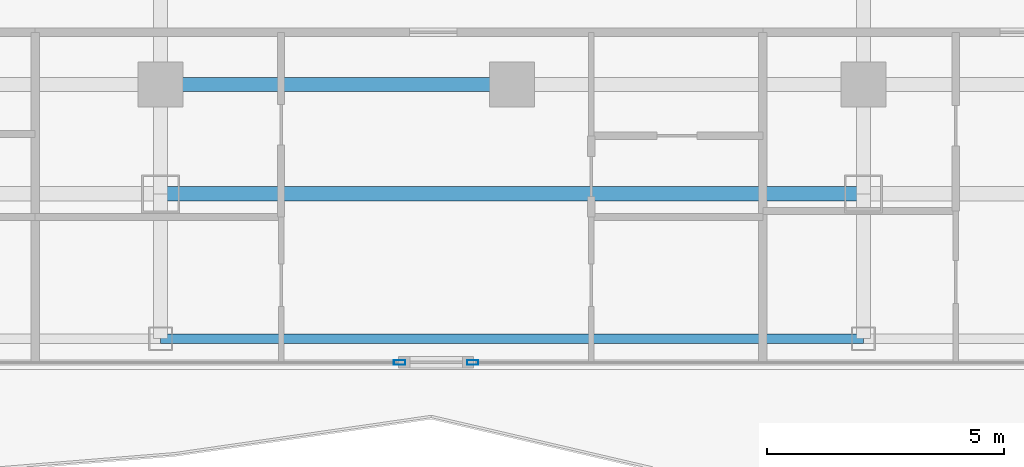
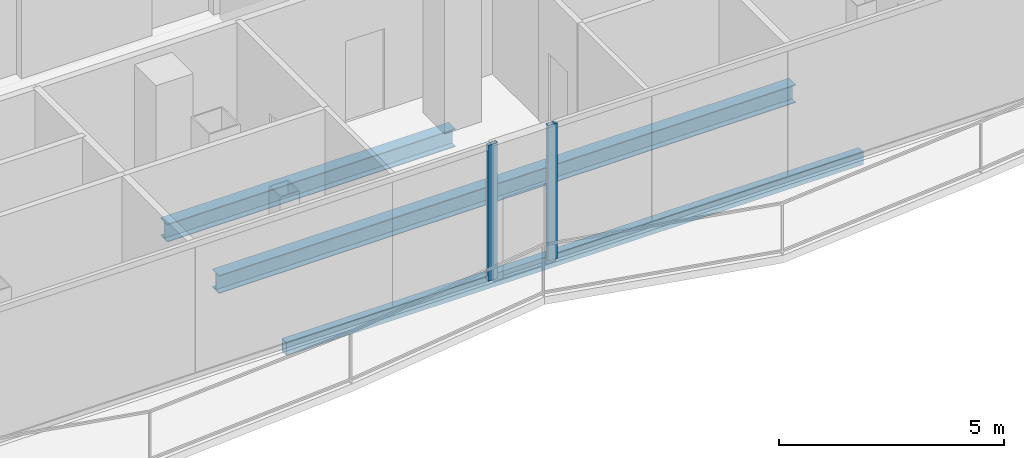
# One storey, part 4 of 23: 3 beams, 2 members, 2 elements without a shape of their own.
"""IFC4 building model written with IfcOpenShell, lengths in metres."""

from ifc_helpers import new_model, si_unit, direction, frame, origin, origin_2d, place, context, subcontext, project, spatial, hollow_rectangle, i_section, extrude, material, layer, layer_set, material_profile, profile_set, type_object, element, aggregate, save


model = new_model("IFC4")

# Units and contexts
model_context = context("Model", 3, precision=1e-05, world=origin(), true_north=direction((0.0, 1.0)))
body_context = subcontext(model_context, "Body", "Model", "MODEL_VIEW")
ifc_project = project(units=[si_unit("LENGTHUNIT", "METRE"), si_unit("AREAUNIT", "SQUARE_METRE"), si_unit("VOLUMEUNIT", "CUBIC_METRE"), si_unit("PLANEANGLEUNIT", "RADIAN"), si_unit("MASSUNIT", "GRAM", prefix="KILO")], contexts=[model_context])

# Site, building, storey
site_placement = place(None, origin())
site = spatial("IfcSite", under=ifc_project, at=site_placement, CompositionType="ELEMENT")
building_placement = place(site_placement, origin())
building = spatial("IfcBuilding", under=site, at=building_placement, Name="Khorvyn Point Tower", CompositionType="ELEMENT")
storey_placement = place(building_placement, frame((0.0, 0.0, 293.699951171875)))
storey = spatial("IfcBuildingStorey", under=building, at=storey_placement, Name="L72", CompositionType="ELEMENT", Elevation=293.699951171875)

# Curtain wall, member
ifc_material_1 = material(Name="Anodised aluminium 6063-T6 and laminated Low-E glass", Category="aluminium")
ifc_layer = layer(ifc_material_1, 0.18994140625)
ifc_layer_set = layer_set([ifc_layer], Name="Stick-Built High-Wind Curtain Wall CW-SYS-04")
curtain_wall_type = type_object("IfcCurtainWallType", Name="Stick-Built High-Wind Curtain Wall CW-SYS-04", PredefinedType="NOTDEFINED", material=ifc_layer_set)
curtain_wall_1_placement = place(storey_placement, origin())
curtain_wall_1 = element("IfcCurtainWall", 1, at=curtain_wall_1_placement, inside=storey, type_object=curtain_wall_type, Name="Curtain Wall", PredefinedType="NOTDEFINED")
ifc_material_2 = material(Name="Anodised aluminium 6063-T6", Category="aluminium")
ifc_material_profile_1 = material_profile(ifc_material_2, hollow_rectangle(XDim=0.10009765625, YDim=0.239990234375, WallThickness=0.0048828125, at=origin_2d()))
ifc_profile_set_1 = profile_set([ifc_material_profile_1], Name="Anodised aluminium 6063-T6 ALU-MUL-100x240")
member_type = type_object("IfcMemberType", Name="Anodised Aluminium 6063-T6 Mullion ALU-MUL-100x240", PredefinedType="MULLION", material=ifc_profile_set_1)
member_1_placement = place(storey_placement, frame((-0.826904296875, -20.64990234375, 0.0), z_axis=(0.0, 0.0, 1.0), x_axis=(0.0, -1.0, 0.0)))
member_1 = element("IfcMember", 2, at=member_1_placement, type_object=member_type, Name="Transom", PredefinedType="MULLION", context=body_context, shape_type="SweptSolid", body=[
    extrude(hollow_rectangle(XDim=0.10009765625, YDim=0.239990234375, WallThickness=0.0048828125, at=origin_2d()), origin(), (0.0, 0.0, 1.0), 3.679931640625),
])
aggregate(curtain_wall_1, [member_1])

curtain_wall_2_placement = place(storey_placement, origin())
curtain_wall_2 = element("IfcCurtainWall", 3, at=curtain_wall_2_placement, inside=storey, type_object=curtain_wall_type, Name="Curtain Wall", PredefinedType="NOTDEFINED")
member_2_placement = place(storey_placement, frame((-2.366943359375, -20.64990234375, 0.0), z_axis=(0.0, 0.0, 1.0), x_axis=(0.0, -1.0, 0.0)))
member_2 = element("IfcMember", 4, at=member_2_placement, type_object=member_type, Name="Transom", PredefinedType="MULLION", context=body_context, shape_type="SweptSolid", body=[
    extrude(hollow_rectangle(XDim=0.10009765625, YDim=0.239990234375, WallThickness=0.0048828125, at=origin_2d()), origin(), (0.0, 0.0, 1.0), 3.679931640625),
])
aggregate(curtain_wall_2, [member_2])

# Beams
ifc_material_3 = material(Name="Steel S355", Category="steel")
ifc_material_profile_2 = material_profile(ifc_material_3, i_section(OverallWidth=0.300048828125, OverallDepth=0.488037109375, WebThickness=0.010986328125, FlangeThickness=0.01806640625, at=origin_2d()))
ifc_profile_set_2 = profile_set([ifc_material_profile_2], Name="Steel S355 H488x300x11x18")
beam_type_1 = type_object("IfcBeamType", Name="Steel S355 Spandrel H488x300x11x18", PredefinedType="SPANDREL", material=ifc_profile_set_2)
beam_1_placement = place(storey_placement, frame((-7.39990234375, -14.800048828125, -0.4638671875), z_axis=(1.0, 0.0, 0.0), x_axis=(0.0, 1.0, 0.0)))
element("IfcBeam", 5, at=beam_1_placement, inside=storey, type_object=beam_type_1, Name="Beam", PredefinedType="SPANDREL", context=body_context, shape_type="SweptSolid", body=[
    extrude(i_section(OverallWidth=0.300048828125, OverallDepth=0.488037109375, WebThickness=0.010986328125, FlangeThickness=0.01806640625, at=origin_2d()), origin(), (0.0, 0.0, 1.0), 7.39990234375),
])
beam_2_placement = place(storey_placement, frame((-7.39990234375, -17.10009765625, -0.4638671875), z_axis=(1.0, 0.0, 0.0), x_axis=(0.0, 1.0, 0.0)))
element("IfcBeam", 6, at=beam_2_placement, inside=storey, type_object=beam_type_1, Name="Beam", PredefinedType="SPANDREL", context=body_context, shape_type="SweptSolid", body=[
    extrude(i_section(OverallWidth=0.300048828125, OverallDepth=0.488037109375, WebThickness=0.010986328125, FlangeThickness=0.01806640625, at=origin_2d()), origin(), (0.0, 0.0, 1.0), 14.7998046875),
])
ifc_material_profile_3 = material_profile(ifc_material_3, hollow_rectangle(XDim=0.199951171875, YDim=0.35009765625, WallThickness=0.013916015625, at=origin_2d()))
ifc_profile_set_3 = profile_set([ifc_material_profile_3], Name="Steel S355 RHS350x200x14")
beam_type_2 = type_object("IfcBeamType", Name="Steel S355 Spandrel RHS350x200x14", PredefinedType="SPANDREL", material=ifc_profile_set_3)
beam_3_placement = place(storey_placement, frame((-7.39990234375, -20.14990234375, -0.39501953125), z_axis=(1.0, 0.0, 0.0), x_axis=(0.0, 1.0, 0.0)))
element("IfcBeam", 7, at=beam_3_placement, inside=storey, type_object=beam_type_2, Name="Beam", PredefinedType="SPANDREL", context=body_context, shape_type="SweptSolid", body=[
    extrude(hollow_rectangle(XDim=0.199951171875, YDim=0.35009765625, WallThickness=0.013916015625, at=origin_2d()), origin(), (0.0, 0.0, 1.0), 14.7998046875),
])

save(model, "model.ifc")
